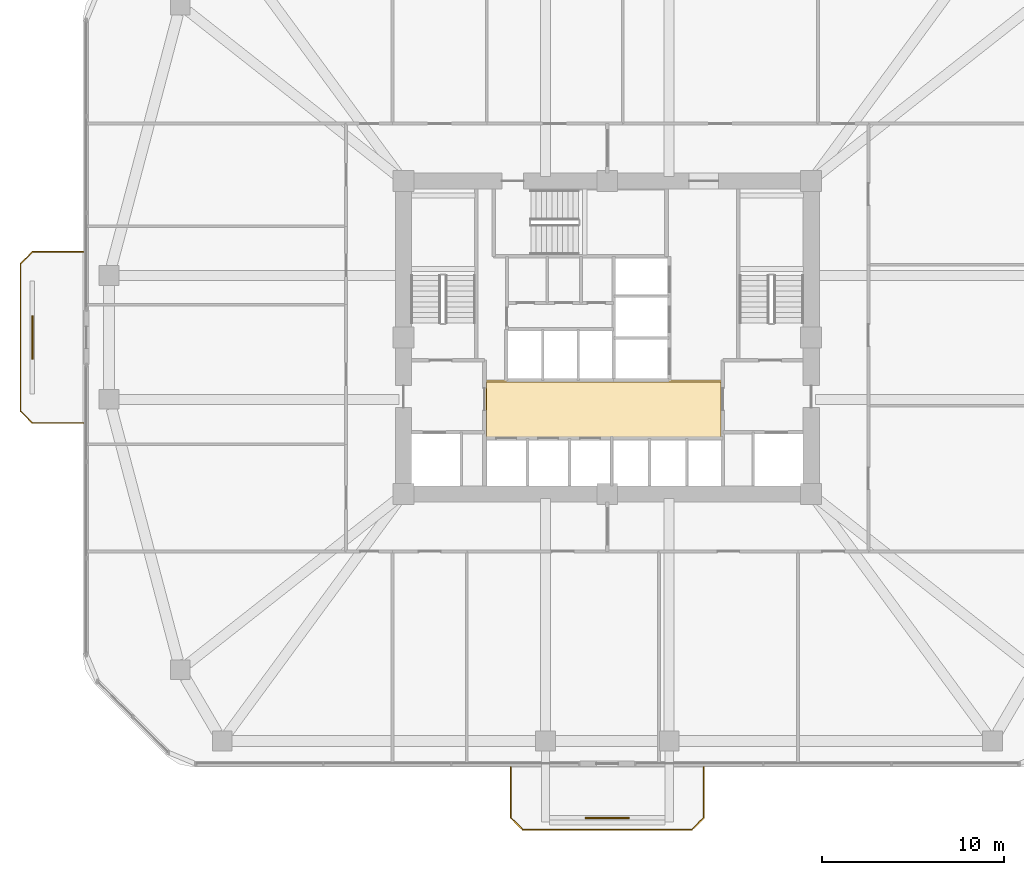
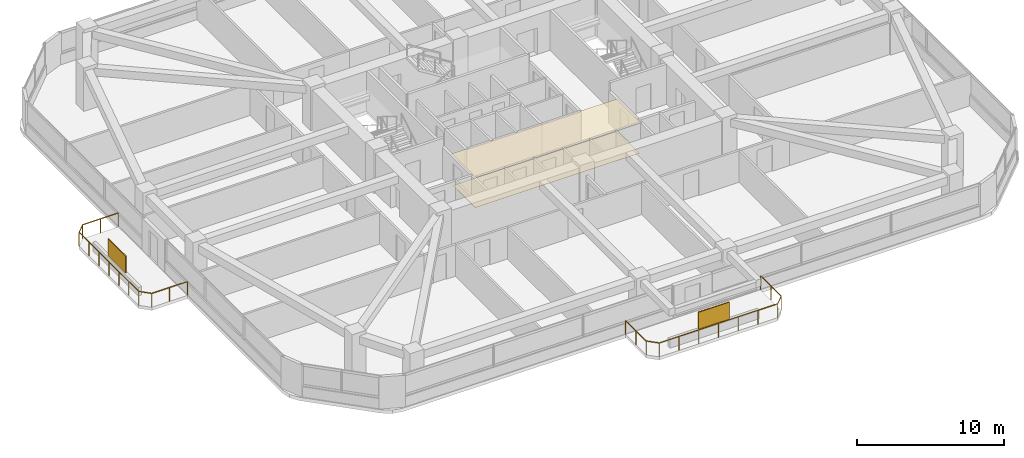
# One storey, part 12 of 13: 2 coverings, 2 railings, 2 shading devices.
"""IFC4 building model written with IfcOpenShell, lengths in metres."""

from ifc_helpers import new_model, si_unit, derived_unit, direction, frame, origin, origin_2d, place, context, subcontext, project, spatial, polyline, rectangle, outline, extrude, material, layer, layer_set, type_object, element, save


model = new_model("IFC4")

# Units and contexts
model_context = context("Model", 3, precision=1e-05, world=origin(), true_north=direction((0.0, 1.0)))
body_context = subcontext(model_context, "Body", "Model", "MODEL_VIEW")
ifc_project = project(units=[si_unit("LENGTHUNIT", "METRE"), si_unit("AREAUNIT", "SQUARE_METRE"), si_unit("VOLUMEUNIT", "CUBIC_METRE"), si_unit("PLANEANGLEUNIT", "RADIAN"), si_unit("MASSUNIT", "GRAM", prefix="KILO"), derived_unit("THERMALTRANSMITTANCEUNIT", [(si_unit("POWERUNIT", "WATT"), 1), (si_unit("LENGTHUNIT", "METRE"), -2), (si_unit("THERMODYNAMICTEMPERATUREUNIT", "KELVIN"), -1)])], contexts=[model_context])

# Site, building, storey
site_placement = place(None, origin())
site = spatial("IfcSite", under=ifc_project, at=site_placement, CompositionType="ELEMENT")
building_placement = place(site_placement, origin())
building = spatial("IfcBuilding", under=site, at=building_placement, Name="Koralith Skygarden Medical Center", CompositionType="ELEMENT")
storey_placement = place(building_placement, frame((0.0, 0.0, 49.139892578125)))
storey = spatial("IfcBuildingStorey", under=building, at=storey_placement, Name="L12", CompositionType="ELEMENT", Elevation=49.139892578125)

# Covering
ifc_material_1 = material(Name="Acoustic Mineral Tile")
ifc_layer_1 = layer(ifc_material_1, 0.02001953125)
ifc_layer_set_1 = layer_set([ifc_layer_1], Name="Acoustic Mineral Tile")
covering_type_1 = type_object("IfcCoveringType", Name="Acoustic Hygienic Mineral Ceiling 20", PredefinedType="CEILING", material=ifc_layer_set_1)
covering_1_placement = place(storey_placement, frame((0.0, 0.0, 2.585205078125)))
element("IfcCovering", 1, at=covering_1_placement, inside=storey, type_object=covering_type_1, Name="L12 Core Lobby Acoustic Ceiling", PredefinedType="CEILING", context=body_context, shape_type="SweptSolid", body=[
    extrude(outline(polyline([(30.25, 20.320068359375), (43.35009765625, 20.320068359375), (43.35009765625, 23.56005859375), (30.25, 23.56005859375), (30.25, 20.320068359375)])), origin(), (0.0, 0.0, 1.0), 0.02001953125),
])

# Railings
ifc_material_2 = material(Name="Steel ASTM A500 Grade C", Category="steel")
railing_type = type_object("IfcRailingType", Name="Outdoor Terrace & Balcony Safety Guardrail 1180", PredefinedType="GUARDRAIL", material=ifc_material_2)
railing_1_placement = place(storey_placement, frame((31.699951171875, 2.300048828125, 0.0)))
element("IfcRailing", 2, at=railing_1_placement, inside=storey, type_object=railing_type, Name="L12 S Balcony Perimeter Guardrail", PredefinedType="GUARDRAIL", context=body_context, shape_type="SweptSolid", body=[
    extrude(rectangle(XDim=0.050048828125, YDim=0.050048828125, at=origin_2d()), frame((0.0, -0.001953125, 1.15478515625), z_axis=(0.0, -1.0, 0.0), x_axis=(1.0, 0.0, 0.0)), (0.0, 0.0, 1.0), 2.796142578125),
    extrude(rectangle(XDim=0.050048828125, YDim=0.050048828125, at=origin_2d()), frame((0.00146484375, -2.801513671875, 1.15478515625), z_axis=(0.707239558722, -0.706973978714, 0.0), x_axis=(0.706973978714, 0.707239558722, 0.0)), (0.0, 0.0, 1.0), 0.915283203125),
    extrude(rectangle(XDim=0.050048828125, YDim=0.050048828125, at=origin_2d()), frame((0.652099609375, -3.449951171875, 1.15478515625), z_axis=(1.0, 0.0, 0.0), x_axis=(0.0, 1.0, 0.0)), (0.0, 0.0, 1.0), 9.2958984375),
    extrude(rectangle(XDim=0.050048828125, YDim=0.050048828125, at=origin_2d()), frame((9.951416015625, -3.448486328125, 1.15478515625), z_axis=(0.707239558722, 0.706973978714, 0.0), x_axis=(-0.706973978714, 0.707239558722, 0.0)), (0.0, 0.0, 1.0), 0.915283203125),
    extrude(rectangle(XDim=0.050048828125, YDim=0.050048828125, at=origin_2d()), frame((10.60009765625, -2.798095703125, 1.15478515625), z_axis=(0.0, 1.0, 0.0), x_axis=(-1.0, 0.0, 0.0)), (0.0, 0.0, 1.0), 2.796142578125),
    extrude(rectangle(XDim=0.0419921875, YDim=0.0419921875, at=origin_2d()), origin(), (0.0, 0.0, 1.0), 1.1279296875),
    extrude(rectangle(XDim=0.0419921875, YDim=0.0419921875, at=origin_2d()), frame((0.0, -1.39990234375, 0.0)), (0.0, 0.0, 1.0), 1.1279296875),
    extrude(rectangle(XDim=0.0419921875, YDim=0.0419921875, at=origin_2d()), frame((0.0, -2.800048828125, 0.0)), (0.0, 0.0, 1.0), 1.1279296875),
    extrude(rectangle(XDim=0.0419921875, YDim=0.0419921875, at=origin_2d()), frame((0.650146484375, -3.449951171875, 0.0)), (0.0, 0.0, 1.0), 1.1279296875),
    extrude(rectangle(XDim=0.0419921875, YDim=0.0419921875, at=origin_2d()), frame((2.2001953125, -3.449951171875, 0.0)), (0.0, 0.0, 1.0), 1.1279296875),
    extrude(rectangle(XDim=0.0419921875, YDim=0.0419921875, at=origin_2d()), frame((3.75, -3.449951171875, 0.0)), (0.0, 0.0, 1.0), 1.1279296875),
    extrude(rectangle(XDim=0.0419921875, YDim=0.0419921875, at=origin_2d()), frame((5.300048828125, -3.449951171875, 0.0)), (0.0, 0.0, 1.0), 1.1279296875),
    extrude(rectangle(XDim=0.0419921875, YDim=0.0419921875, at=origin_2d()), frame((6.85009765625, -3.449951171875, 0.0)), (0.0, 0.0, 1.0), 1.1279296875),
    extrude(rectangle(XDim=0.0419921875, YDim=0.0419921875, at=origin_2d()), frame((8.39990234375, -3.449951171875, 0.0)), (0.0, 0.0, 1.0), 1.1279296875),
    extrude(rectangle(XDim=0.0419921875, YDim=0.0419921875, at=origin_2d()), frame((9.949951171875, -3.449951171875, 0.0)), (0.0, 0.0, 1.0), 1.1279296875),
    extrude(rectangle(XDim=0.0419921875, YDim=0.0419921875, at=origin_2d()), frame((10.60009765625, -2.800048828125, 0.0)), (0.0, 0.0, 1.0), 1.1279296875),
    extrude(rectangle(XDim=0.0419921875, YDim=0.0419921875, at=origin_2d()), frame((10.60009765625, -1.39990234375, 0.0)), (0.0, 0.0, 1.0), 1.1279296875),
    extrude(rectangle(XDim=0.0419921875, YDim=0.0419921875, at=origin_2d()), frame((10.60009765625, 0.0, 0.0)), (0.0, 0.0, 1.0), 1.1279296875),
])
railing_2_placement = place(storey_placement, frame((8.199951171875, 21.199951171875, 0.0)))
element("IfcRailing", 3, at=railing_2_placement, inside=storey, type_object=railing_type, Name="L12 W Balcony Perimeter Guardrail", PredefinedType="GUARDRAIL", context=body_context, shape_type="SweptSolid", body=[
    extrude(rectangle(XDim=0.050048828125, YDim=0.050048828125, at=origin_2d()), frame((-0.001953125, 0.0, 1.15478515625), z_axis=(-1.0, 0.0, 0.0), x_axis=(0.0, -1.0, 0.0)), (0.0, 0.0, 1.0), 2.796142578125),
    extrude(rectangle(XDim=0.050048828125, YDim=0.050048828125, at=origin_2d()), frame((-2.801513671875, 0.00146484375, 1.15478515625), z_axis=(-0.706973978714, 0.707239558722, 0.0), x_axis=(-0.707239558722, -0.706973978714, 0.0)), (0.0, 0.0, 1.0), 0.915283203125),
    extrude(rectangle(XDim=0.050048828125, YDim=0.050048828125, at=origin_2d()), frame((-3.449951171875, 0.652099609375, 1.15478515625), z_axis=(0.0, 1.0, 0.0), x_axis=(-1.0, 0.0, 0.0)), (0.0, 0.0, 1.0), 8.095947265625),
    extrude(rectangle(XDim=0.050048828125, YDim=0.050048828125, at=origin_2d()), frame((-3.448486328125, 8.75146484375, 1.15478515625), z_axis=(0.706973978714, 0.707239558722, 0.0), x_axis=(-0.707239558722, 0.706973978714, 0.0)), (0.0, 0.0, 1.0), 0.915283203125),
    extrude(rectangle(XDim=0.050048828125, YDim=0.050048828125, at=origin_2d()), frame((-2.798095703125, 9.400146484375, 1.15478515625), z_axis=(1.0, 0.0, 0.0), x_axis=(0.0, 1.0, 0.0)), (0.0, 0.0, 1.0), 2.796142578125),
    extrude(rectangle(XDim=0.0419921875, YDim=0.0419921875, at=origin_2d()), origin(), (0.0, 0.0, 1.0), 1.1279296875),
    extrude(rectangle(XDim=0.0419921875, YDim=0.0419921875, at=origin_2d()), frame((-1.39990234375, 0.0, 0.0)), (0.0, 0.0, 1.0), 1.1279296875),
    extrude(rectangle(XDim=0.0419921875, YDim=0.0419921875, at=origin_2d()), frame((-2.800048828125, 0.0, 0.0)), (0.0, 0.0, 1.0), 1.1279296875),
    extrude(rectangle(XDim=0.0419921875, YDim=0.0419921875, at=origin_2d()), frame((-3.449951171875, 0.650146484375, 0.0)), (0.0, 0.0, 1.0), 1.1279296875),
    extrude(rectangle(XDim=0.0419921875, YDim=0.0419921875, at=origin_2d()), frame((-3.449951171875, 2.0, 0.0)), (0.0, 0.0, 1.0), 1.1279296875),
    extrude(rectangle(XDim=0.0419921875, YDim=0.0419921875, at=origin_2d()), frame((-3.449951171875, 3.35009765625, 0.0)), (0.0, 0.0, 1.0), 1.1279296875),
    extrude(rectangle(XDim=0.0419921875, YDim=0.0419921875, at=origin_2d()), frame((-3.449951171875, 4.7001953125, 0.0)), (0.0, 0.0, 1.0), 1.1279296875),
    extrude(rectangle(XDim=0.0419921875, YDim=0.0419921875, at=origin_2d()), frame((-3.449951171875, 6.050048828125, 0.0)), (0.0, 0.0, 1.0), 1.1279296875),
    extrude(rectangle(XDim=0.0419921875, YDim=0.0419921875, at=origin_2d()), frame((-3.449951171875, 7.39990234375, 0.0)), (0.0, 0.0, 1.0), 1.1279296875),
    extrude(rectangle(XDim=0.0419921875, YDim=0.0419921875, at=origin_2d()), frame((-3.449951171875, 8.75, 0.0)), (0.0, 0.0, 1.0), 1.1279296875),
    extrude(rectangle(XDim=0.0419921875, YDim=0.0419921875, at=origin_2d()), frame((-2.800048828125, 9.400146484375, 0.0)), (0.0, 0.0, 1.0), 1.1279296875),
    extrude(rectangle(XDim=0.0419921875, YDim=0.0419921875, at=origin_2d()), frame((-1.39990234375, 9.400146484375, 0.0)), (0.0, 0.0, 1.0), 1.1279296875),
    extrude(rectangle(XDim=0.0419921875, YDim=0.0419921875, at=origin_2d()), frame((0.0, 9.400146484375, 0.0)), (0.0, 0.0, 1.0), 1.1279296875),
])

# Shading devices
ifc_material_3 = material(Name="Aluminium 6063-T6", Category="aluminium")
ifc_layer_2 = layer(ifc_material_3, 0.080078125)
ifc_layer_set_2 = layer_set([ifc_layer_2], Name="Aluminium 6063-T6")
shading_device_type = type_object("IfcShadingDeviceType", Name="Perforated Biophilic Balcony Trellis Screen", PredefinedType="USERDEFINED", material=ifc_layer_set_2)
for number, where, z_axis, x_axis, name in (
    (4, (37.0, -0.5, 0.72021484375), (0.0, 0.0, 1.0), (1.0, 0.0, 0.0), "L12 S Biophilic Balcony Trellis Screen"),
    (5, (5.39990234375, 25.89990234375, 0.72021484375), (0.0, 0.0, 1.0), (0.0, 1.0, 0.0), "L12 W Biophilic Balcony Trellis Screen"),
):
    element("IfcShadingDevice", number, at=place(storey_placement, frame(where, z_axis=z_axis, x_axis=x_axis)), inside=storey, type_object=shading_device_type, Name=name, ObjectType="HURRICANE SCREEN", PredefinedType="USERDEFINED", context=body_context, shape_type="SweptSolid", body=[
        extrude(rectangle(XDim=2.39990234375, YDim=0.080078125, at=origin_2d()), origin(), (0.0, 0.0, 1.0), 1.39990234375),
    ])

# Covering
ifc_material_4 = material(Name="Medical Terrazzo Flooring")
ifc_layer_3 = layer(ifc_material_4, 0.014892578125)
ifc_layer_set_3 = layer_set([ifc_layer_3], Name="Medical Terrazzo Flooring")
covering_type_2 = type_object("IfcCoveringType", Name="Seamless Antimicrobial Terrazzo Flooring 15", PredefinedType="FLOORING", material=ifc_layer_set_3)
covering_2_placement = place(storey_placement, origin())
element("IfcCovering", 6, at=covering_2_placement, inside=storey, type_object=covering_type_2, Name="L12 Core Lobby Terrazzo Flooring", PredefinedType="FLOORING", context=body_context, shape_type="SweptSolid", body=[
    extrude(outline(polyline([(30.35009765625, 20.419921875), (43.25, 20.419921875), (43.25, 23.4599609375), (30.35009765625, 23.4599609375), (30.35009765625, 20.419921875)])), origin(), (0.0, 0.0, 1.0), 0.01513671875),
])

save(model, "model.ifc")
